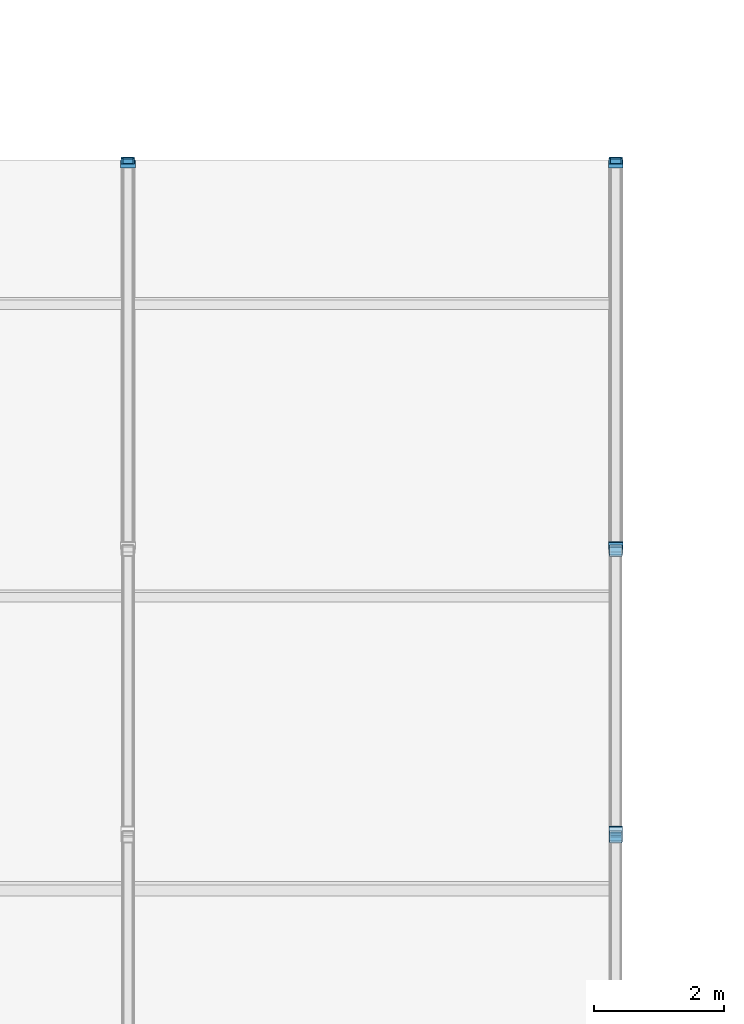
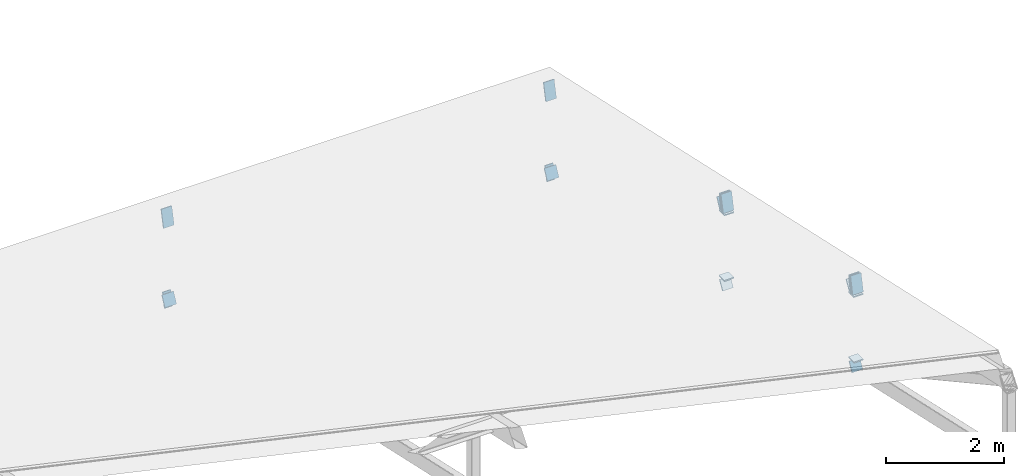
# One storey, part 60 of 77: 18 plates.
"""IFC4 building model written with IfcOpenShell, lengths in metres."""

from ifc_helpers import new_model, si_unit, direction, frame, origin, origin_2d, place, context, subcontext, project, spatial, rectangle, extrude, material, layer, layer_set, type_object, element, save


model = new_model("IFC4")

# Units and contexts
model_context = context("Model", 3, precision=1e-05, world=origin(), true_north=direction((0.0, 1.0)))
body_context = subcontext(model_context, "Body", "Model", "MODEL_VIEW")
ifc_project = project(units=[si_unit("LENGTHUNIT", "METRE"), si_unit("AREAUNIT", "SQUARE_METRE"), si_unit("VOLUMEUNIT", "CUBIC_METRE"), si_unit("PLANEANGLEUNIT", "RADIAN"), si_unit("MASSUNIT", "GRAM", prefix="KILO")], contexts=[model_context])

# Site, building, storey
site_placement = place(None, origin())
site = spatial("IfcSite", under=ifc_project, at=site_placement, CompositionType="ELEMENT")
building_placement = place(site_placement, origin())
building = spatial("IfcBuilding", under=site, at=building_placement, Name="Yukiwa Park Conservatory and Herbarium", CompositionType="ELEMENT")
storey_placement = place(building_placement, frame((0.0, 0.0, 13.199951171875)))
storey = spatial("IfcBuildingStorey", under=building, at=storey_placement, Name="L03", CompositionType="ELEMENT", Elevation=13.199951171875)

# Plates
ifc_material_1 = material(Name="Steel Q355D", Category="steel")
ifc_layer_1 = layer(ifc_material_1, 0.02392578125)
ifc_layer_set_1 = layer_set([ifc_layer_1], Name="Steel Q355D")
plate_type_1 = type_object("IfcPlateType", Name="PL-CAP-24", PredefinedType="USERDEFINED", material=ifc_layer_set_1)
plate_1_placement = place(storey_placement, frame((60.0, 98.760986328125, -0.41064453125), z_axis=(0.0, 0.976900017396, -0.213696878805), x_axis=(-1.0, 0.0, 0.0)))
element("IfcPlate", 1, at=plate_1_placement, inside=storey, type_object=plate_type_1, Name="Hollow section end cap plate CAP-AUTC-7-4B", ObjectType="END CAP PLATE", PredefinedType="USERDEFINED", context=body_context, shape_type="SweptSolid", body=[
    extrude(rectangle(XDim=0.2080078125, YDim=0.35791015625, at=origin_2d()), origin(), (0.0, 0.0, 1.0), 0.02392578125),
])
plate_2_placement = place(storey_placement, frame((60.0, 98.79296875, -2.115478515625), z_axis=(0.0, 0.877505337229, -0.479566870346), x_axis=(-1.0, 0.0, 0.0)))
element("IfcPlate", 2, at=plate_2_placement, inside=storey, type_object=plate_type_1, Name="Hollow section end cap plate CAP-AUDG-7-4B", ObjectType="END CAP PLATE", PredefinedType="USERDEFINED", context=body_context, shape_type="SweptSolid", body=[
    extrude(rectangle(XDim=0.2080078125, YDim=0.2080078125, at=origin_2d()), origin(), (0.0, 0.0, 1.0), 0.02392578125),
])
for number, where, z_axis, x_axis, name in (
    (3, (60.0, 98.839111328125, -0.427978515625), (0.0, -0.976900017396, 0.213696878805), (1.0, 0.0, 0.0), "Hollow section end cap plate CAP-AUTC-7-5A"),
    (4, (60.0, 103.160888671875, -1.385986328125), (0.0, 0.974732318528, -0.223376156329), (-1.0, 0.0, 0.0), "Hollow section end cap plate CAP-AUTC-7-5B"),
):
    element("IfcPlate", number, at=place(storey_placement, frame(where, z_axis=z_axis, x_axis=x_axis)), inside=storey, type_object=plate_type_1, Name=name, ObjectType="END CAP PLATE", PredefinedType="USERDEFINED", context=body_context, shape_type="SweptSolid", body=[
        extrude(rectangle(XDim=0.2080078125, YDim=0.35791015625, at=origin_2d()), origin(), (0.0, 0.0, 1.0), 0.02392578125),
    ])
for number, where, z_axis, x_axis, name in (
    (5, (60.0, 98.91357421875, -0.488525390625), (0.0, -0.854787515222, 0.518978134242), (1.0, 0.0, 0.0), "Hollow section end cap plate CAP-AUDG-7-5A"),
    (6, (60.0, 103.193115234375, -3.090576171875), (0.0, 0.854787515222, -0.518978134242), (-1.0, 0.0, 0.0), "Hollow section end cap plate CAP-AUDG-7-5B"),
):
    element("IfcPlate", number, at=place(storey_placement, frame(where, z_axis=z_axis, x_axis=x_axis)), inside=storey, type_object=plate_type_1, Name=name, ObjectType="END CAP PLATE", PredefinedType="USERDEFINED", context=body_context, shape_type="SweptSolid", body=[
        extrude(rectangle(XDim=0.2080078125, YDim=0.2080078125, at=origin_2d()), origin(), (0.0, 0.0, 1.0), 0.02392578125),
    ])
for number, where, z_axis, x_axis, name in (
    (7, (60.0, 103.239013671875, -1.4033203125), (0.0, -0.976900017396, 0.213696878805), (1.0, 0.0, 0.0), "Hollow section end cap plate CAP-AUTC-7-6A"),
    (8, (60.0, 109.186279296875, -2.72314453125), (0.0, 0.974732318528, -0.223376156329), (-1.0, 0.0, 0.0), "Hollow section end cap plate CAP-AUTC-7-6B"),
):
    element("IfcPlate", number, at=place(storey_placement, frame(where, z_axis=z_axis, x_axis=x_axis)), inside=storey, type_object=plate_type_1, Name=name, ObjectType="END CAP PLATE", PredefinedType="USERDEFINED", context=body_context, shape_type="SweptSolid", body=[
        extrude(rectangle(XDim=0.2080078125, YDim=0.35791015625, at=origin_2d()), origin(), (0.0, 0.0, 1.0), 0.02392578125),
    ])
plate_3_placement = place(storey_placement, frame((60.0, 109.186279296875, -4.42333984375), z_axis=(0.0, 0.976900017396, -0.213696878805), x_axis=(-1.0, 0.0, 0.0)))
element("IfcPlate", 9, at=plate_3_placement, inside=storey, type_object=plate_type_1, Name="Hollow section end cap plate CAP-AUBC-7-6B", ObjectType="END CAP PLATE", PredefinedType="USERDEFINED", context=body_context, shape_type="SweptSolid", body=[
    extrude(rectangle(XDim=0.157958984375, YDim=0.30810546875, at=origin_2d()), origin(), (0.0, 0.0, 1.0), 0.02392578125),
])
for number, where, z_axis, x_axis, name in (
    (10, (60.0, 103.2919921875, -1.441162109375), (0.0, -0.894427191, 0.4472135955), (1.0, 0.0, 0.0), "Hollow section end cap plate CAP-AUDG-7-6A"),
    (11, (60.0, 109.132568359375, -4.39697265625), (0.0, 0.894427191, -0.4472135955), (-1.0, 0.0, 0.0), "Hollow section end cap plate CAP-AUDG-7-6B"),
):
    element("IfcPlate", number, at=place(storey_placement, frame(where, z_axis=z_axis, x_axis=x_axis)), inside=storey, type_object=plate_type_1, Name=name, ObjectType="END CAP PLATE", PredefinedType="USERDEFINED", context=body_context, shape_type="SweptSolid", body=[
        extrude(rectangle(XDim=0.22802734375, YDim=0.22802734375, at=origin_2d()), origin(), (0.0, 0.0, 1.0), 0.02392578125),
    ])
ifc_material_2 = material(Name="Steel Q355D", Category="steel")
ifc_layer_2 = layer(ifc_material_2, 0.02392578125)
ifc_layer_set_2 = layer_set([ifc_layer_2], Name="Steel Q355D")
plate_type_2 = type_object("IfcPlateType", Name="PL-CAP-24-INT", PredefinedType="USERDEFINED", material=ifc_layer_set_2)
plate_4_placement = place(storey_placement, frame((52.5, 109.186279296875, -2.72314453125), z_axis=(0.0, 0.974732318528, -0.223376156329), x_axis=(-1.0, 0.0, 0.0)))
element("IfcPlate", 12, at=plate_4_placement, inside=storey, type_object=plate_type_2, Name="Hollow section end cap plate CAP-AUTC-6-6B", ObjectType="END CAP PLATE", PredefinedType="USERDEFINED", context=body_context, shape_type="SweptSolid", body=[
    extrude(rectangle(XDim=0.2080078125, YDim=0.35791015625, at=origin_2d()), origin(), (0.0, 0.0, 1.0), 0.02392578125),
])
plate_5_placement = place(storey_placement, frame((52.5, 109.186279296875, -4.42333984375), z_axis=(0.0, 0.976900017396, -0.213696878805), x_axis=(-1.0, 0.0, 0.0)))
element("IfcPlate", 13, at=plate_5_placement, inside=storey, type_object=plate_type_2, Name="Hollow section end cap plate CAP-AUBC-6-6B", ObjectType="END CAP PLATE", PredefinedType="USERDEFINED", context=body_context, shape_type="SweptSolid", body=[
    extrude(rectangle(XDim=0.157958984375, YDim=0.30810546875, at=origin_2d()), origin(), (0.0, 0.0, 1.0), 0.02392578125),
])
plate_6_placement = place(storey_placement, frame((52.5, 109.132568359375, -4.39697265625), z_axis=(0.0, 0.894427191, -0.4472135955), x_axis=(-1.0, 0.0, 0.0)))
element("IfcPlate", 14, at=plate_6_placement, inside=storey, type_object=plate_type_2, Name="Hollow section end cap plate CAP-AUDG-6-6B", ObjectType="END CAP PLATE", PredefinedType="USERDEFINED", context=body_context, shape_type="SweptSolid", body=[
    extrude(rectangle(XDim=0.22802734375, YDim=0.22802734375, at=origin_2d()), origin(), (0.0, 0.0, 1.0), 0.02392578125),
])
for number, where, z_axis, x_axis, name in (
    (15, (60.0, 98.800048828125, -1.96630859375), (0.0, 0.0, -1.0), (1.0, 0.0, 0.0), "Hollow section end cap plate CAP-AUVP-7-4B"),
    (16, (60.0, 98.800048828125, -0.63330078125), (0.0, 0.0, 1.0), (1.0, 0.0, 0.0), "Hollow section end cap plate CAP-AUVP-7-4T"),
):
    element("IfcPlate", number, at=place(storey_placement, frame(where, z_axis=z_axis, x_axis=x_axis)), inside=storey, type_object=plate_type_2, Name=name, ObjectType="END CAP PLATE", PredefinedType="USERDEFINED", context=body_context, shape_type="SweptSolid", body=[
        extrude(rectangle(XDim=0.18798828125, YDim=0.18798828125, at=origin_2d()), origin(), (0.0, 0.0, 1.0), 0.02392578125),
    ])
plate_7_placement = place(storey_placement, frame((60.0, 103.199951171875, -2.941650390625), z_axis=(0.0, 0.0, -1.0), x_axis=(1.0, 0.0, 0.0)))
element("IfcPlate", 17, at=plate_7_placement, inside=storey, type_object=plate_type_2, Name="Hollow section end cap plate CAP-AUVP-7-5B", ObjectType="END CAP PLATE", PredefinedType="USERDEFINED", context=body_context, shape_type="SweptSolid", body=[
    extrude(rectangle(XDim=0.18798828125, YDim=0.18798828125, at=origin_2d()), origin(), (0.0, 0.0, 1.0), 0.024169921875),
])
plate_8_placement = place(storey_placement, frame((60.0, 103.199951171875, -1.608642578125), z_axis=(0.0, 0.0, 1.0), x_axis=(1.0, 0.0, 0.0)))
element("IfcPlate", 18, at=plate_8_placement, inside=storey, type_object=plate_type_2, Name="Hollow section end cap plate CAP-AUVP-7-5T", ObjectType="END CAP PLATE", PredefinedType="USERDEFINED", context=body_context, shape_type="SweptSolid", body=[
    extrude(rectangle(XDim=0.18798828125, YDim=0.18798828125, at=origin_2d()), origin(), (0.0, 0.0, 1.0), 0.02392578125),
])

save(model, "model.ifc")
